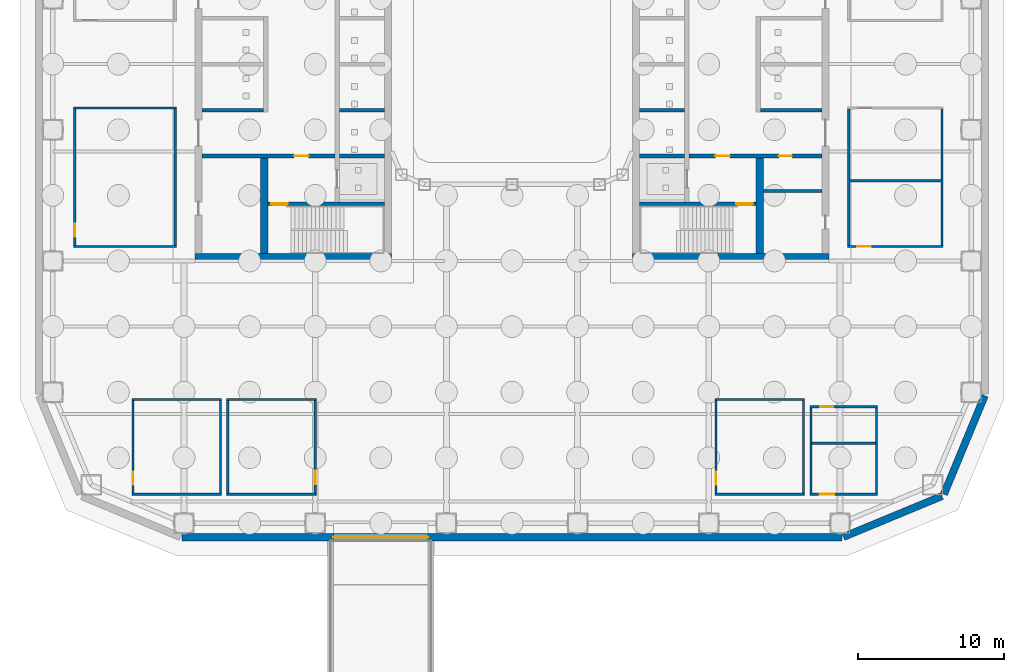
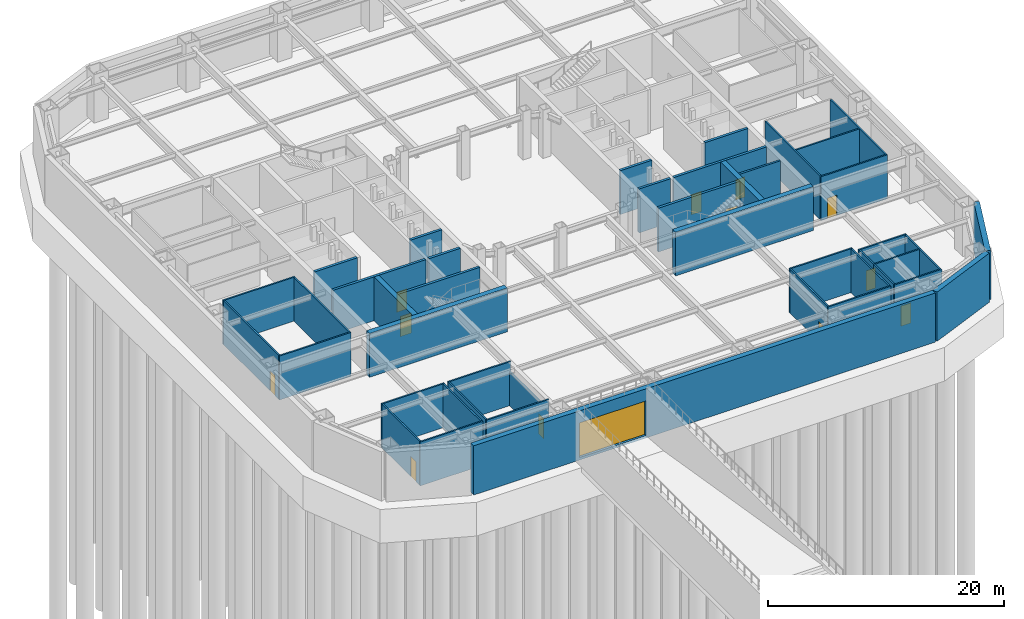
# One storey, part 4 of 10: 45 walls, 13 doors, 13 openings.
"""IFC4 building model written with IfcOpenShell, lengths in metres."""

import ifcopenshell
import ifcopenshell.guid

model = None  # the IFC model being written
_history = None  # IfcOwnerHistory: only IFC2X3 demands one
_inside = {}  # id of a spatial element -> (the spatial element, [elements in it])
_under = {}  # id of a project, library or spatial element -> (it, [spatial elements below it])
_declared = {}  # id of a project -> (the project, [libraries it declares])
_typed = {}  # id of a type object -> (the type object, [elements of that type])
_made_of = {}  # id of a material, layer set ... -> (it, [elements and type objects made of it])


def new_model(schema):
    """Start an empty IFC model of exactly this schema.

    Asked for "IFC4X3", IfcOpenShell would pick the latest addendum, in which some entities
    have other attributes; the version numbers below select the first issue.
    IFC2X3 requires an IfcOwnerHistory on every rooted entity: one is made here for all.
    """
    global model, _history
    if schema == "IFC4X3":
        model = ifcopenshell.file(schema_version=(4, 3, 0, 0))
    else:
        model = ifcopenshell.file(schema=schema)
    _inside.clear()
    _under.clear()
    _declared.clear()
    _typed.clear()
    _made_of.clear()
    _history = None
    if model.schema == "IFC2X3":
        org = make("IfcOrganization", Name="unknown")
        user = make(
            "IfcPersonAndOrganization",
            ThePerson=make("IfcPerson", FamilyName="unknown"),
            TheOrganization=org,
        )
        app = make(
            "IfcApplication",
            ApplicationDeveloper=org,
            Version="unknown",
            ApplicationFullName="unknown",
            ApplicationIdentifier="unknown",
        )
        _history = make(
            "IfcOwnerHistory",
            OwningUser=user,
            OwningApplication=app,
            ChangeAction="ADDED",
            CreationDate=0,
        )
    return model


def make(cls, **values):
    """One entity of the class cls with the attributes given. An attribute that is None is left unset."""
    return model.create_entity(
        cls, **{name: value for name, value in values.items() if value is not None}
    )


def rooted(cls, **values):
    """An entity with a GlobalId (a new one), such as an element, a storey or a relation."""
    return make(cls, GlobalId=ifcopenshell.guid.new(), OwnerHistory=_history, **values)


def si_unit(unit_type, name, prefix=None):
    """IfcSIUnit, for example si_unit("LENGTHUNIT", "METRE", prefix="MILLI")."""
    return make("IfcSIUnit", UnitType=unit_type, Prefix=prefix, Name=name)


def assignment(units):
    """IfcUnitAssignment: the units of a project."""
    return None if units is None else make("IfcUnitAssignment", Units=units)


def point(xyz):
    """IfcCartesianPoint."""
    return None if xyz is None else make("IfcCartesianPoint", Coordinates=xyz)


def direction(xyz):
    """IfcDirection."""
    return None if xyz is None else make("IfcDirection", DirectionRatios=xyz)


def frame(location, z_axis=None, x_axis=None):
    """IfcAxis2Placement3D, a coordinate frame: its origin and axes. An axis left out is left unset."""
    return make(
        "IfcAxis2Placement3D",
        Location=point(location),
        Axis=direction(z_axis),
        RefDirection=direction(x_axis),
    )


def frame_2d(location, x_axis=None):
    """IfcAxis2Placement2D, a coordinate frame in the plane: its origin and x axis."""
    return make(
        "IfcAxis2Placement2D", Location=point(location), RefDirection=direction(x_axis)
    )


def origin():
    """The frame at (0, 0, 0) with its axes left unset."""
    return frame((0.0, 0.0, 0.0))


def place(relative_to, where):
    """IfcLocalPlacement: puts the frame where relative to a parent placement (None: the world)."""
    return make(
        "IfcLocalPlacement", PlacementRelTo=relative_to, RelativePlacement=where
    )


def context(
    kind, dimensions, precision=None, world=None, true_north=None, identifier=None
):
    """IfcGeometricRepresentationContext, for example the 3D "Model" context."""
    return make(
        "IfcGeometricRepresentationContext",
        ContextIdentifier=identifier,
        ContextType=kind,
        CoordinateSpaceDimension=dimensions,
        Precision=precision,
        WorldCoordinateSystem=world,
        TrueNorth=true_north,
    )


def subcontext(parent, identifier, kind, view, scale=None):
    """IfcGeometricRepresentationSubContext, for example "Body" below "Model"."""
    return make(
        "IfcGeometricRepresentationSubContext",
        ContextIdentifier=identifier,
        ContextType=kind,
        ParentContext=parent,
        TargetScale=scale,
        TargetView=view,
    )


def project(units=None, contexts=None):
    """IfcProject with its units and contexts."""
    return rooted(
        "IfcProject",
        Name="project",
        RepresentationContexts=contexts,
        UnitsInContext=assignment(units),
    )


def spatial(cls, under=None, at=None, **own):
    """A site, building, storey or space (cls), placed at a placement, below another one or the project."""
    s = rooted(cls, ObjectPlacement=at, **own)
    if under is not None:
        _under.setdefault(under.id(), (under, []))[1].append(s)
    return s


def profile(cls, at=None, kind="AREA", **sizes):
    """A parametric profile (cls). Its sizes go by their IFC names, for example OverallWidth=200.0."""
    return make(cls, ProfileType=kind, Position=at, **sizes)


def rectangle(**sizes):
    """IfcRectangleProfileDef."""
    return profile("IfcRectangleProfileDef", **sizes)


def extrude(swept, where, along, depth):
    """IfcExtrudedAreaSolid: the profile swept, set in the frame where, extruded along a direction by depth."""
    return make(
        "IfcExtrudedAreaSolid",
        SweptArea=swept,
        Position=where,
        ExtrudedDirection=direction(along),
        Depth=depth,
    )


def shape(context_of_items, identifier, shape_type, items):
    """IfcShapeRepresentation: the items that make up one representation, for example the "Body"."""
    return make(
        "IfcShapeRepresentation",
        ContextOfItems=context_of_items,
        RepresentationIdentifier=identifier,
        RepresentationType=shape_type,
        Items=items,
    )


def material(Name=None, Category=None):
    """IfcMaterial."""
    return make("IfcMaterial", Name=Name, Category=Category)


def layer(
    of_material, thickness, ventilated=None, Name=None, Category=None, Priority=None
):
    """IfcMaterialLayer: one layer of a wall or slab, of a material (None: an air gap)."""
    return make(
        "IfcMaterialLayer",
        Material=of_material,
        LayerThickness=thickness,
        IsVentilated=ventilated,
        Name=Name,
        Category=Category,
        Priority=Priority,
    )


def layer_set(layers, Name=None):
    """IfcMaterialLayerSet."""
    return make("IfcMaterialLayerSet", MaterialLayers=layers, LayerSetName=Name)


def made_of(thing, what):
    """Note that an element or type object is made of a material, layer set ...; save() writes the relation."""
    if what is not None:
        _made_of.setdefault(what.id(), (what, []))[1].append(thing)
    return thing


def type_object(cls, material=None, **own):
    """A type object (cls), such as IfcWallType, which elements share."""
    return made_of(rooted(cls, **own), material)


def element(
    cls,
    number,
    at=None,
    inside=None,
    cuts=None,
    type_object=None,
    material=None,
    context=None,
    identifier="Body",
    shape_type=None,
    held_by="IfcProductDefinitionShape",
    body=None,
    shapes=None,
    **own,
):
    """One element of the class cls, such as IfcWall. Its Tag is "e" and its number.

    at: its placement. inside: the storey or other place that contains it. cuts: it is an
    opening in that element (IfcRelVoidsElement). A single representation is given by context,
    identifier, shape_type and body (its items); several are given by shapes. held_by: the class
    of the entity that holds the representations. save() writes the other relations.
    """
    e = rooted(cls, Tag="e%d" % number, ObjectPlacement=at, **own)
    if body is not None:
        shapes = [shape(context, identifier, shape_type, body)]
    if shapes is not None:
        e.Representation = make(held_by, Representations=shapes)
    if inside is not None:
        _inside.setdefault(inside.id(), (inside, []))[1].append(e)
    if cuts is not None:
        rooted(
            "IfcRelVoidsElement", RelatingBuildingElement=cuts, RelatedOpeningElement=e
        )
    if type_object is not None:
        _typed.setdefault(type_object.id(), (type_object, []))[1].append(e)
    return made_of(e, material)


def fill(opening, filler):
    """IfcRelFillsElement: the door or window that sits in an opening."""
    return rooted(
        "IfcRelFillsElement",
        RelatingOpeningElement=opening,
        RelatedBuildingElement=filler,
    )


def aggregate(whole, parts):
    """IfcRelAggregates: a whole, such as a stair, and the parts it consists of."""
    return rooted("IfcRelAggregates", RelatingObject=whole, RelatedObjects=parts)


def save(model, path):
    """Write the relations noted so far, then the file.

    IfcRelAggregates (storeys below a building ...), IfcRelContainedInSpatialStructure (elements
    in a storey), IfcRelDefinesByType, IfcRelAssociatesMaterial and IfcRelDeclares: one each for
    every whole, place, type object, material and project.
    """
    for whole, parts in _under.values():
        aggregate(whole, parts)
    for where, things in _inside.values():
        rooted(
            "IfcRelContainedInSpatialStructure",
            RelatedElements=things,
            RelatingStructure=where,
        )
    for kind, things in _typed.values():
        rooted("IfcRelDefinesByType", RelatedObjects=things, RelatingType=kind)
    for what, things in _made_of.values():
        rooted("IfcRelAssociatesMaterial", RelatedObjects=things, RelatingMaterial=what)
    for by, libraries in _declared.values():
        rooted("IfcRelDeclares", RelatingContext=by, RelatedDefinitions=libraries)
    model.write(path)


model = new_model("IFC4")

# Units and contexts
model_context = context("Model", 3, precision=1e-05, world=origin(), true_north=direction((0.0, 1.0)))
body_context = subcontext(model_context, "Body", "Model", "MODEL_VIEW")
ifc_project = project(units=[si_unit("LENGTHUNIT", "METRE"), si_unit("AREAUNIT", "SQUARE_METRE"), si_unit("VOLUMEUNIT", "CUBIC_METRE"), si_unit("PLANEANGLEUNIT", "RADIAN"), si_unit("MASSUNIT", "GRAM", prefix="KILO")], contexts=[model_context])

# Site, building, storey
site_placement = place(None, origin())
site = spatial("IfcSite", under=ifc_project, at=site_placement, CompositionType="ELEMENT")
building_placement = place(site_placement, origin())
building = spatial("IfcBuilding", under=site, at=building_placement, Name="Siwar Civic Tower", CompositionType="ELEMENT")
storey_placement = place(building_placement, frame((0.0, 0.0, -5.0)))
storey = spatial("IfcBuildingStorey", under=building, at=storey_placement, Name="B1", CompositionType="ELEMENT", Elevation=-5.0)

# Walls
ifc_material_1 = material(Name="Gypsum board on steel studs", Category="steel")
ifc_layer_1 = layer(ifc_material_1, 0.14990234375)
ifc_layer_set_1 = layer_set([ifc_layer_1], Name="Gypsum board on steel studs")
wall_type_1 = type_object("IfcWallType", Name="COMPARTMENT PARTITION 150 EI 60", PredefinedType="PARTITIONING", material=ifc_layer_set_1)
for number, where, z_axis, x_axis, name in (
    (1, (-26.074951171875, -29.5, 0.0), (0.0, 0.0, 1.0), (1.0, 0.0, 0.0), "B1/wall/P02"),
    (2, (-19.574951171875, -29.5, 0.0), (0.0, 0.0, 1.0), (1.0, 0.0, 0.0), "B1/wall/P03"),
    (3, (13.925048828125, -29.5, 0.0), (0.0, 0.0, 1.0), (1.0, 0.0, 0.0), "B1/wall/P04"),
):
    element("IfcWall", number, at=place(storey_placement, frame(where, z_axis=z_axis, x_axis=x_axis)), inside=storey, type_object=wall_type_1, Name=name, PredefinedType="PARTITIONING", context=body_context, shape_type="SweptSolid", body=[
        extrude(rectangle(XDim=6.14990234375, YDim=0.14990234375, at=frame_2d((3.074951171875, 0.0))), origin(), (0.0, 0.0, 1.0), 4.550048828125),
    ])
wall_1_placement = place(storey_placement, frame((20.574951171875, -26.0, 0.0), z_axis=(0.0, 0.0, 1.0), x_axis=(1.0, 0.0, 0.0)))
element("IfcWall", 4, at=wall_1_placement, inside=storey, type_object=wall_type_1, Name="B1/wall/P05", PredefinedType="PARTITIONING", context=body_context, shape_type="SweptSolid", body=[
    extrude(rectangle(XDim=4.35009765625, YDim=0.14990234375, at=frame_2d((2.175048828125, 0.0))), origin(), (0.0, 0.0, 1.0), 4.550048828125),
])

# Wall, opening, door
wall_2_placement = place(storey_placement, frame((20.425048828125, -23.5, 0.0), z_axis=(0.0, 0.0, 1.0), x_axis=(1.0, 0.0, 0.0)))
wall_2 = element("IfcWall", 5, at=wall_2_placement, inside=storey, type_object=wall_type_1, Name="B1/wall/P06", PredefinedType="PARTITIONING", context=body_context, shape_type="SweptSolid", body=[
    extrude(rectangle(XDim=4.64990234375, YDim=0.14990234375, at=frame_2d((2.324951171875, 0.0))), origin(), (0.0, 0.0, 1.0), 4.550048828125),
])
opening_1_placement = place(wall_2_placement, frame((0.72509765625, 0.0, 0.0)))
opening_1 = element("IfcOpeningElement", 6, at=opening_1_placement, cuts=wall_2, Name="Opening D4", PredefinedType="OPENING", context=body_context, shape_type="SweptSolid", body=[
    extrude(rectangle(XDim=0.89990234375, YDim=2.10009765625, at=frame_2d((0.449951171875, 1.050048828125))), frame((0.0, 0.0849609375, 0.0), z_axis=(0.0, -1.0, 0.0), x_axis=(1.0, 0.0, 0.0)), (0.0, 0.0, 1.0), 0.169921875),
])
ifc_material_2 = material(Name="Timber, painted", Category="wood")
door_type_1 = type_object("IfcDoorType", Name="DOOR 900 X 2100 FD60", OperationType="SINGLE_SWING_LEFT", PredefinedType="DOOR", material=ifc_material_2)
door_1_placement = place(opening_1_placement, origin())
door_1 = element("IfcDoor", 7, at=door_1_placement, inside=storey, type_object=door_type_1, Name="B1-D11", OperationType="SINGLE_SWING_LEFT", OverallHeight=2.10009765625, OverallWidth=0.89990234375, PredefinedType="DOOR", context=body_context, shape_type="SweptSolid", body=[
    extrude(rectangle(XDim=0.89990234375, YDim=2.10009765625, at=frame_2d((0.449951171875, 1.050048828125))), frame((0.0, 0.02490234375, 0.0), z_axis=(0.0, -1.0, 0.0), x_axis=(1.0, 0.0, 0.0)), (0.0, 0.0, 1.0), 0.050048828125),
])
fill(opening_1, door_1)

# Walls
for number, where, z_axis, x_axis, name in (
    (8, (-26.074951171875, -23.0, 0.0), (0.0, 0.0, 1.0), (1.0, 0.0, 0.0), "B1/wall/P07"),
    (9, (-19.574951171875, -23.0, 0.0), (0.0, 0.0, 1.0), (1.0, 0.0, 0.0), "B1/wall/P08"),
    (10, (13.925048828125, -23.0, 0.0), (0.0, 0.0, 1.0), (1.0, 0.0, 0.0), "B1/wall/P09"),
):
    element("IfcWall", number, at=place(storey_placement, frame(where, z_axis=z_axis, x_axis=x_axis)), inside=storey, type_object=wall_type_1, Name=name, PredefinedType="PARTITIONING", context=body_context, shape_type="SweptSolid", body=[
        extrude(rectangle(XDim=6.14990234375, YDim=0.14990234375, at=frame_2d((3.074951171875, 0.0))), origin(), (0.0, 0.0, 1.0), 4.550048828125),
    ])
wall_3_placement = place(storey_placement, frame((-30.074951171875, -12.5, 0.0), z_axis=(0.0, 0.0, 1.0), x_axis=(1.0, 0.0, 0.0)))
element("IfcWall", 11, at=wall_3_placement, inside=storey, type_object=wall_type_1, Name="B1/wall/P10", PredefinedType="PARTITIONING", context=body_context, shape_type="SweptSolid", body=[
    extrude(rectangle(XDim=7.050048828125, YDim=0.14990234375, at=frame_2d((3.52490234375, 0.0))), origin(), (0.0, 0.0, 1.0), 4.550048828125),
])

# Wall, opening, door
wall_4_placement = place(storey_placement, frame((23.02490234375, -12.5, 0.0), z_axis=(0.0, 0.0, 1.0), x_axis=(1.0, 0.0, 0.0)))
wall_4 = element("IfcWall", 12, at=wall_4_placement, inside=storey, type_object=wall_type_1, Name="B1/wall/P11", PredefinedType="PARTITIONING", context=body_context, shape_type="SweptSolid", body=[
    extrude(rectangle(XDim=6.550048828125, YDim=0.14990234375, at=frame_2d((3.27490234375, 0.0))), origin(), (0.0, 0.0, 1.0), 4.550048828125),
])
opening_2_placement = place(wall_4_placement, frame((0.675048828125, 0.0, 0.0)))
opening_2 = element("IfcOpeningElement", 13, at=opening_2_placement, cuts=wall_4, Name="Opening D4", PredefinedType="OPENING", context=body_context, shape_type="SweptSolid", body=[
    extrude(rectangle(XDim=0.89990234375, YDim=2.10009765625, at=frame_2d((0.449951171875, 1.050048828125))), frame((0.0, 0.0849609375, 0.0), z_axis=(0.0, -1.0, 0.0), x_axis=(1.0, 0.0, 0.0)), (0.0, 0.0, 1.0), 0.169921875),
])
door_2_placement = place(opening_2_placement, origin())
door_2 = element("IfcDoor", 14, at=door_2_placement, inside=storey, type_object=door_type_1, Name="B1-D06", OperationType="SINGLE_SWING_RIGHT", OverallHeight=2.10009765625, OverallWidth=0.89990234375, PredefinedType="DOOR", context=body_context, shape_type="SweptSolid", body=[
    extrude(rectangle(XDim=0.89990234375, YDim=2.10009765625, at=frame_2d((0.449951171875, 1.050048828125))), frame((0.0, 0.02490234375, 0.0), z_axis=(0.0, -1.0, 0.0), x_axis=(1.0, 0.0, 0.0)), (0.0, 0.0, 1.0), 0.050048828125),
])
fill(opening_2, door_2)

# Walls
wall_5_placement = place(storey_placement, frame((23.175048828125, -8.0, 0.0), z_axis=(0.0, 0.0, 1.0), x_axis=(1.0, 0.0, 0.0)))
element("IfcWall", 15, at=wall_5_placement, inside=storey, type_object=wall_type_1, Name="B1/wall/P12", PredefinedType="PARTITIONING", context=body_context, shape_type="SweptSolid", body=[
    extrude(rectangle(XDim=6.25, YDim=0.14990234375, at=frame_2d((3.125, 0.0))), origin(), (0.0, 0.0, 1.0), 4.550048828125),
])
wall_6_placement = place(storey_placement, frame((-30.074951171875, -3.0, 0.0), z_axis=(0.0, 0.0, 1.0), x_axis=(1.0, 0.0, 0.0)))
element("IfcWall", 16, at=wall_6_placement, inside=storey, type_object=wall_type_1, Name="B1/wall/P13", PredefinedType="PARTITIONING", context=body_context, shape_type="SweptSolid", body=[
    extrude(rectangle(XDim=7.050048828125, YDim=0.14990234375, at=frame_2d((3.52490234375, 0.0))), origin(), (0.0, 0.0, 1.0), 4.550048828125),
])

# Wall, opening, door
wall_7_placement = place(storey_placement, frame((-30.0, -12.425048828125, 0.0), z_axis=(0.0, 0.0, 1.0), x_axis=(0.0, 1.0, 0.0)))
wall_7 = element("IfcWall", 17, at=wall_7_placement, inside=storey, type_object=wall_type_1, Name="B1/wall/P20", PredefinedType="PARTITIONING", context=body_context, shape_type="SweptSolid", body=[
    extrude(rectangle(XDim=9.35009765625, YDim=0.14990234375, at=frame_2d((4.675048828125, 0.0))), origin(), (0.0, 0.0, 1.0), 4.550048828125),
])
opening_3_placement = place(wall_7_placement, frame((0.574951171875, 0.0, 0.0)))
opening_3 = element("IfcOpeningElement", 18, at=opening_3_placement, cuts=wall_7, Name="Opening D4", PredefinedType="OPENING", context=body_context, shape_type="SweptSolid", body=[
    extrude(rectangle(XDim=0.89990234375, YDim=2.10009765625, at=frame_2d((0.449951171875, 1.050048828125))), frame((0.0, 0.0849609375, 0.0), z_axis=(0.0, -1.0, 0.0), x_axis=(1.0, 0.0, 0.0)), (0.0, 0.0, 1.0), 0.169921875),
])
door_3_placement = place(opening_3_placement, origin())
door_3 = element("IfcDoor", 19, at=door_3_placement, inside=storey, type_object=door_type_1, Name="B1-D01", OperationType="SINGLE_SWING_LEFT", OverallHeight=2.10009765625, OverallWidth=0.89990234375, PredefinedType="DOOR", context=body_context, shape_type="SweptSolid", body=[
    extrude(rectangle(XDim=0.89990234375, YDim=2.10009765625, at=frame_2d((0.449951171875, 1.050048828125))), frame((0.0, 0.02490234375, 0.0), z_axis=(0.0, -1.0, 0.0), x_axis=(1.0, 0.0, 0.0)), (0.0, 0.0, 1.0), 0.050048828125),
])
fill(opening_3, door_3)

wall_8_placement = place(storey_placement, frame((-26.0, -29.425048828125, 0.0), z_axis=(0.0, 0.0, 1.0), x_axis=(0.0, 1.0, 0.0)))
wall_8 = element("IfcWall", 20, at=wall_8_placement, inside=storey, type_object=wall_type_1, Name="B1/wall/P22", PredefinedType="PARTITIONING", context=body_context, shape_type="SweptSolid", body=[
    extrude(rectangle(XDim=6.35009765625, YDim=0.14990234375, at=frame_2d((3.175048828125, 0.0))), origin(), (0.0, 0.0, 1.0), 4.550048828125),
])
opening_4_placement = place(wall_8_placement, frame((0.574951171875, 0.0, 0.0)))
opening_4 = element("IfcOpeningElement", 21, at=opening_4_placement, cuts=wall_8, Name="Opening D4", PredefinedType="OPENING", context=body_context, shape_type="SweptSolid", body=[
    extrude(rectangle(XDim=0.89990234375, YDim=2.10009765625, at=frame_2d((0.449951171875, 1.050048828125))), frame((0.0, 0.0849609375, 0.0), z_axis=(0.0, -1.0, 0.0), x_axis=(1.0, 0.0, 0.0)), (0.0, 0.0, 1.0), 0.169921875),
])
door_4_placement = place(opening_4_placement, origin())
door_4 = element("IfcDoor", 22, at=door_4_placement, inside=storey, type_object=door_type_1, Name="B1-D07", OperationType="SINGLE_SWING_LEFT", OverallHeight=2.10009765625, OverallWidth=0.89990234375, PredefinedType="DOOR", context=body_context, shape_type="SweptSolid", body=[
    extrude(rectangle(XDim=0.89990234375, YDim=2.10009765625, at=frame_2d((0.449951171875, 1.050048828125))), frame((0.0, 0.02490234375, 0.0), z_axis=(0.0, -1.0, 0.0), x_axis=(1.0, 0.0, 0.0)), (0.0, 0.0, 1.0), 0.050048828125),
])
fill(opening_4, door_4)

# Walls
wall_9_placement = place(storey_placement, frame((-23.10009765625, -12.425048828125, 0.0), z_axis=(0.0, 0.0, 1.0), x_axis=(0.0, 1.0, 0.0)))
element("IfcWall", 23, at=wall_9_placement, inside=storey, type_object=wall_type_1, Name="B1/wall/P23", PredefinedType="PARTITIONING", context=body_context, shape_type="SweptSolid", body=[
    extrude(rectangle(XDim=9.35009765625, YDim=0.14990234375, at=frame_2d((4.675048828125, 0.0))), origin(), (0.0, 0.0, 1.0), 4.550048828125),
])
for number, where, z_axis, x_axis, name in (
    (24, (-20.0, -29.425048828125, 0.0), (0.0, 0.0, 1.0), (0.0, 1.0, 0.0), "B1/wall/P25"),
    (25, (-19.5, -29.425048828125, 0.0), (0.0, 0.0, 1.0), (0.0, 1.0, 0.0), "B1/wall/P26"),
):
    element("IfcWall", number, at=place(storey_placement, frame(where, z_axis=z_axis, x_axis=x_axis)), inside=storey, type_object=wall_type_1, Name=name, PredefinedType="PARTITIONING", context=body_context, shape_type="SweptSolid", body=[
        extrude(rectangle(XDim=6.35009765625, YDim=0.14990234375, at=frame_2d((3.175048828125, 0.0))), origin(), (0.0, 0.0, 1.0), 4.550048828125),
    ])

# Wall, opening, door
wall_10_placement = place(storey_placement, frame((-13.5, -29.425048828125, 0.0), z_axis=(0.0, 0.0, 1.0), x_axis=(0.0, 1.0, 0.0)))
wall_10 = element("IfcWall", 26, at=wall_10_placement, inside=storey, type_object=wall_type_1, Name="B1/wall/P27", PredefinedType="PARTITIONING", context=body_context, shape_type="SweptSolid", body=[
    extrude(rectangle(XDim=6.35009765625, YDim=0.14990234375, at=frame_2d((3.175048828125, 0.0))), origin(), (0.0, 0.0, 1.0), 3.550048828125),
])
opening_5_placement = place(wall_10_placement, frame((0.625, 0.0, 0.0)))
opening_5 = element("IfcOpeningElement", 27, at=opening_5_placement, cuts=wall_10, Name="Opening D4", PredefinedType="OPENING", context=body_context, shape_type="SweptSolid", body=[
    extrude(rectangle(XDim=0.89990234375, YDim=2.10009765625, at=frame_2d((0.449951171875, 1.050048828125))), frame((0.0, 0.0849609375, 0.0), z_axis=(0.0, -1.0, 0.0), x_axis=(1.0, 0.0, 0.0)), (0.0, 0.0, 1.0), 0.169921875),
])
door_5_placement = place(opening_5_placement, origin())
door_5 = element("IfcDoor", 28, at=door_5_placement, inside=storey, type_object=door_type_1, Name="B1-D08", OperationType="SINGLE_SWING_RIGHT", OverallHeight=2.10009765625, OverallWidth=0.89990234375, PredefinedType="DOOR", context=body_context, shape_type="SweptSolid", body=[
    extrude(rectangle(XDim=0.89990234375, YDim=2.10009765625, at=frame_2d((0.449951171875, 1.050048828125))), frame((0.0, 0.02490234375, 0.0), z_axis=(0.0, -1.0, 0.0), x_axis=(1.0, 0.0, 0.0)), (0.0, 0.0, 1.0), 0.050048828125),
])
fill(opening_5, door_5)

wall_11_placement = place(storey_placement, frame((14.0, -29.425048828125, 0.0), z_axis=(0.0, 0.0, 1.0), x_axis=(0.0, 1.0, 0.0)))
wall_11 = element("IfcWall", 29, at=wall_11_placement, inside=storey, type_object=wall_type_1, Name="B1/wall/P28", PredefinedType="PARTITIONING", context=body_context, shape_type="SweptSolid", body=[
    extrude(rectangle(XDim=6.35009765625, YDim=0.14990234375, at=frame_2d((3.175048828125, 0.0))), origin(), (0.0, 0.0, 1.0), 4.550048828125),
])
opening_6_placement = place(wall_11_placement, frame((0.574951171875, 0.0, 0.0)))
opening_6 = element("IfcOpeningElement", 30, at=opening_6_placement, cuts=wall_11, Name="Opening D4", PredefinedType="OPENING", context=body_context, shape_type="SweptSolid", body=[
    extrude(rectangle(XDim=0.89990234375, YDim=2.10009765625, at=frame_2d((0.449951171875, 1.050048828125))), frame((0.0, 0.0849609375, 0.0), z_axis=(0.0, -1.0, 0.0), x_axis=(1.0, 0.0, 0.0)), (0.0, 0.0, 1.0), 0.169921875),
])
door_6_placement = place(opening_6_placement, origin())
door_6 = element("IfcDoor", 31, at=door_6_placement, inside=storey, type_object=door_type_1, Name="B1-D09", OperationType="SINGLE_SWING_LEFT", OverallHeight=2.10009765625, OverallWidth=0.89990234375, PredefinedType="DOOR", context=body_context, shape_type="SweptSolid", body=[
    extrude(rectangle(XDim=0.89990234375, YDim=2.10009765625, at=frame_2d((0.449951171875, 1.050048828125))), frame((0.0, 0.02490234375, 0.0), z_axis=(0.0, -1.0, 0.0), x_axis=(1.0, 0.0, 0.0)), (0.0, 0.0, 1.0), 0.050048828125),
])
fill(opening_6, door_6)

# Walls
wall_12_placement = place(storey_placement, frame((20.0, -29.425048828125, 0.0), z_axis=(0.0, 0.0, 1.0), x_axis=(0.0, 1.0, 0.0)))
element("IfcWall", 32, at=wall_12_placement, inside=storey, type_object=wall_type_1, Name="B1/wall/P29", PredefinedType="PARTITIONING", context=body_context, shape_type="SweptSolid", body=[
    extrude(rectangle(XDim=6.35009765625, YDim=0.14990234375, at=frame_2d((3.175048828125, 0.0))), origin(), (0.0, 0.0, 1.0), 4.550048828125),
])
wall_13_placement = place(storey_placement, frame((20.5, -26.0, 0.0), z_axis=(0.0, 0.0, 1.0), x_axis=(0.0, 1.0, 0.0)))
element("IfcWall", 33, at=wall_13_placement, inside=storey, type_object=wall_type_1, Name="B1/wall/P31", PredefinedType="PARTITIONING", context=body_context, shape_type="SweptSolid", body=[
    extrude(rectangle(XDim=2.425048828125, YDim=0.14990234375, at=frame_2d((1.21240234375, 0.0))), origin(), (0.0, 0.0, 1.0), 4.550048828125),
])
wall_14_placement = place(storey_placement, frame((23.10009765625, -12.425048828125, 0.0), z_axis=(0.0, 0.0, 1.0), x_axis=(0.0, 1.0, 0.0)))
element("IfcWall", 34, at=wall_14_placement, inside=storey, type_object=wall_type_1, Name="B1/wall/P32", PredefinedType="PARTITIONING", context=body_context, shape_type="SweptSolid", body=[
    extrude(rectangle(XDim=9.35009765625, YDim=0.14990234375, at=frame_2d((4.675048828125, 0.0))), origin(), (0.0, 0.0, 1.0), 4.550048828125),
])
wall_15_placement = place(storey_placement, frame((25.0, -26.0, 0.0), z_axis=(0.0, 0.0, 1.0), x_axis=(0.0, 1.0, 0.0)))
element("IfcWall", 35, at=wall_15_placement, inside=storey, type_object=wall_type_1, Name="B1/wall/P35", PredefinedType="PARTITIONING", context=body_context, shape_type="SweptSolid", body=[
    extrude(rectangle(XDim=2.425048828125, YDim=0.14990234375, at=frame_2d((1.21240234375, 0.0))), origin(), (0.0, 0.0, 1.0), 4.550048828125),
])
wall_16_placement = place(storey_placement, frame((29.5, -12.425048828125, 0.0), z_axis=(0.0, 0.0, 1.0), x_axis=(0.0, 1.0, 0.0)))
element("IfcWall", 36, at=wall_16_placement, inside=storey, type_object=wall_type_1, Name="B1/wall/P36", PredefinedType="PARTITIONING", context=body_context, shape_type="SweptSolid", body=[
    extrude(rectangle(XDim=9.35009765625, YDim=0.14990234375, at=frame_2d((4.675048828125, 0.0))), origin(), (0.0, 0.0, 1.0), 4.550048828125),
])
ifc_material_3 = material(Name="Gypsum board on steel studs", Category="steel")
ifc_layer_2 = layer(ifc_material_3, 0.199951171875)
ifc_layer_set_2 = layer_set([ifc_layer_2], Name="Gypsum board on steel studs")
wall_type_2 = type_object("IfcWallType", Name="CORE-PARTITION-200", PredefinedType="PARTITIONING", material=ifc_layer_set_2)
wall_17_placement = place(storey_placement, frame((17.25, -8.699951171875, 0.0), z_axis=(0.0, 0.0, 1.0), x_axis=(1.0, 0.0, 0.0)))
element("IfcWall", 37, at=wall_17_placement, inside=storey, type_object=wall_type_2, Name="Core partition E", PredefinedType="PARTITIONING", context=body_context, shape_type="SweptSolid", body=[
    extrude(rectangle(XDim=4.0, YDim=0.199951171875, at=frame_2d((2.0, 0.0))), origin(), (0.0, 0.0, 1.0), 4.550048828125),
])

# Wall, opening, door
ifc_material_4 = material(Name="Concrete C60/75", Category="concrete")
ifc_layer_3 = layer(ifc_material_4, 0.25)
ifc_layer_set_3 = layer_set([ifc_layer_3], Name="Concrete C60/75")
wall_type_3 = type_object("IfcWallType", Name="CORE-WALL-RC250", PredefinedType="SHEAR", material=ifc_layer_set_3)
wall_18_placement = place(storey_placement, frame((-12.14990234375, -6.300048828125, 0.0), z_axis=(0.0, 0.0, 1.0), x_axis=(-1.0, 0.0, 0.0)))
wall_18 = element("IfcWall", 38, at=wall_18_placement, inside=storey, type_object=wall_type_3, Name="Core wall W", PredefinedType="SHEAR", context=body_context, shape_type="SweptSolid", body=[
    extrude(rectangle(XDim=9.10009765625, YDim=0.25, at=frame_2d((4.550048828125, 0.0))), origin(), (0.0, 0.0, 1.0), 4.550048828125),
])
opening_7_placement = place(wall_18_placement, frame((1.800048828125, 0.0, 0.0)))
opening_7 = element("IfcOpeningElement", 39, at=opening_7_placement, cuts=wall_18, Name="Opening B1-CW02", PredefinedType="OPENING", context=body_context, shape_type="SweptSolid", body=[
    extrude(rectangle(XDim=1.0, YDim=2.10009765625, at=frame_2d((0.5, 1.050048828125))), frame((0.0, 0.135009765625, 0.0), z_axis=(0.0, -1.0, 0.0), x_axis=(1.0, 0.0, 0.0)), (0.0, 0.0, 1.0), 0.27001953125),
])
ifc_material_5 = material(Name="Steel door leaf", Category="steel")
door_type_2 = type_object("IfcDoorType", Name="CORE-DOOR-FD30S", OperationType="SINGLE_SWING_LEFT", PredefinedType="DOOR", material=ifc_material_5)
door_7_placement = place(opening_7_placement, origin())
door_7 = element("IfcDoor", 40, at=door_7_placement, inside=storey, type_object=door_type_2, Name="Service lobby door B1-CW02", OperationType="SINGLE_SWING_RIGHT", OverallHeight=2.10009765625, OverallWidth=1.0, PredefinedType="DOOR", context=body_context, shape_type="SweptSolid", body=[
    extrude(rectangle(XDim=1.0, YDim=2.10009765625, at=frame_2d((0.5, 1.050048828125))), frame((0.0, 0.02490234375, 0.0), z_axis=(0.0, -1.0, 0.0), x_axis=(1.0, 0.0, 0.0)), (0.0, 0.0, 1.0), 0.050048828125),
])
fill(opening_7, door_7)

# Walls
wall_19_placement = place(storey_placement, frame((-17.050048828125, -3.14990234375, 0.0), z_axis=(0.0, 0.0, 1.0), x_axis=(-1.0, 0.0, 0.0)))
element("IfcWall", 41, at=wall_19_placement, inside=storey, type_object=wall_type_3, Name="Core wall W", PredefinedType="SHEAR", context=body_context, shape_type="SweptSolid", body=[
    extrude(rectangle(XDim=4.199951171875, YDim=0.25, at=frame_2d((2.10009765625, 0.0))), origin(), (0.0, 0.0, 1.0), 4.550048828125),
])
for number, where, z_axis, x_axis, name in (
    (42, (-8.75, -3.14990234375, 0.0), (0.0, 0.0, 1.0), (-1.0, 0.0, 0.0), "Core wall W"),
    (43, (-8.75, -6.300048828125, 0.0), (0.0, 0.0, 1.0), (-1.0, 0.0, 0.0), "Core wall W"),
):
    element("IfcWall", number, at=place(storey_placement, frame(where, z_axis=z_axis, x_axis=x_axis)), inside=storey, type_object=wall_type_3, Name=name, PredefinedType="SHEAR", context=body_context, shape_type="SweptSolid", body=[
        extrude(rectangle(XDim=3.10009765625, YDim=0.25, at=frame_2d((1.550048828125, 0.0))), origin(), (0.0, 0.0, 1.0), 4.550048828125),
    ])

# Wall, opening, door
wall_20_placement = place(storey_placement, frame((-8.75, -9.574951171875, 0.0), z_axis=(0.0, 0.0, 1.0), x_axis=(-1.0, 0.0, 0.0)))
wall_20 = element("IfcWall", 44, at=wall_20_placement, inside=storey, type_object=wall_type_3, Name="Core wall W", PredefinedType="SHEAR", context=body_context, shape_type="SweptSolid", body=[
    extrude(rectangle(XDim=8.0, YDim=0.25, at=frame_2d((4.0, 0.0))), origin(), (0.0, 0.0, 1.0), 4.550048828125),
])
opening_8_placement = place(wall_20_placement, frame((6.64990234375, 0.0, 0.0)))
opening_8 = element("IfcOpeningElement", 45, at=opening_8_placement, cuts=wall_20, Name="Opening B1-CW04", PredefinedType="OPENING", context=body_context, shape_type="SweptSolid", body=[
    extrude(rectangle(XDim=1.10009765625, YDim=2.10009765625, at=frame_2d((0.550048828125, 1.050048828125))), frame((0.0, 0.135009765625, 0.0), z_axis=(0.0, -1.0, 0.0), x_axis=(1.0, 0.0, 0.0)), (0.0, 0.0, 1.0), 0.27001953125),
])
ifc_material_6 = material(Name="Steel door leaf", Category="steel")
door_type_3 = type_object("IfcDoorType", Name="CORE-DOOR-FD60S", OperationType="SINGLE_SWING_LEFT", PredefinedType="DOOR", material=ifc_material_6)
door_8_placement = place(opening_8_placement, origin())
door_8 = element("IfcDoor", 46, at=door_8_placement, inside=storey, type_object=door_type_3, Name="Stair door B1-CW04", OperationType="SINGLE_SWING_LEFT", OverallHeight=2.10009765625, OverallWidth=1.10009765625, PredefinedType="DOOR", context=body_context, shape_type="SweptSolid", body=[
    extrude(rectangle(XDim=1.10009765625, YDim=2.10009765625, at=frame_2d((0.550048828125, 1.050048828125))), frame((0.0, 0.02490234375, 0.0), z_axis=(0.0, -1.0, 0.0), x_axis=(1.0, 0.0, 0.0)), (0.0, 0.0, 1.0), 0.050048828125),
])
fill(opening_8, door_8)

# Wall, openings, doors
wall_21_placement = place(storey_placement, frame((12.14990234375, -6.300048828125, 0.0), z_axis=(0.0, 0.0, 1.0), x_axis=(1.0, 0.0, 0.0)))
wall_21 = element("IfcWall", 47, at=wall_21_placement, inside=storey, type_object=wall_type_3, Name="Core wall E", PredefinedType="SHEAR", context=body_context, shape_type="SweptSolid", body=[
    extrude(rectangle(XDim=9.10009765625, YDim=0.25, at=frame_2d((4.550048828125, 0.0))), origin(), (0.0, 0.0, 1.0), 4.550048828125),
])
opening_9_placement = place(wall_21_placement, frame((1.800048828125, 0.0, 0.0)))
opening_9 = element("IfcOpeningElement", 48, at=opening_9_placement, cuts=wall_21, Name="Opening B1-CE02", PredefinedType="OPENING", context=body_context, shape_type="SweptSolid", body=[
    extrude(rectangle(XDim=1.0, YDim=2.10009765625, at=frame_2d((0.5, 1.050048828125))), frame((0.0, 0.135009765625, 0.0), z_axis=(0.0, -1.0, 0.0), x_axis=(1.0, 0.0, 0.0)), (0.0, 0.0, 1.0), 0.27001953125),
])
opening_10_placement = place(wall_21_placement, frame((6.14990234375, 0.0, 0.0)))
opening_10 = element("IfcOpeningElement", 49, at=opening_10_placement, cuts=wall_21, Name="Opening B1-CE10", PredefinedType="OPENING", context=body_context, shape_type="SweptSolid", body=[
    extrude(rectangle(XDim=0.89990234375, YDim=2.10009765625, at=frame_2d((0.449951171875, 1.050048828125))), frame((0.0, 0.135009765625, 0.0), z_axis=(0.0, -1.0, 0.0), x_axis=(1.0, 0.0, 0.0)), (0.0, 0.0, 1.0), 0.27001953125),
])
door_9_placement = place(opening_9_placement, origin())
door_9 = element("IfcDoor", 50, at=door_9_placement, inside=storey, type_object=door_type_2, Name="Service lobby door B1-CE02", OperationType="SINGLE_SWING_LEFT", OverallHeight=2.10009765625, OverallWidth=1.0, PredefinedType="DOOR", context=body_context, shape_type="SweptSolid", body=[
    extrude(rectangle(XDim=1.0, YDim=2.10009765625, at=frame_2d((0.5, 1.050048828125))), frame((0.0, 0.02490234375, 0.0), z_axis=(0.0, -1.0, 0.0), x_axis=(1.0, 0.0, 0.0)), (0.0, 0.0, 1.0), 0.050048828125),
])
fill(opening_9, door_9)
ifc_material_7 = material(Name="Steel door leaf", Category="steel")
door_type_4 = type_object("IfcDoorType", Name="CORE-DOOR-ROOM", OperationType="SINGLE_SWING_LEFT", PredefinedType="DOOR", material=ifc_material_7)
door_10_placement = place(opening_10_placement, origin())
door_10 = element("IfcDoor", 51, at=door_10_placement, inside=storey, type_object=door_type_4, Name="Core room door B1-CE10", OperationType="SINGLE_SWING_LEFT", OverallHeight=2.10009765625, OverallWidth=0.89990234375, PredefinedType="DOOR", context=body_context, shape_type="SweptSolid", body=[
    extrude(rectangle(XDim=0.89990234375, YDim=2.10009765625, at=frame_2d((0.449951171875, 1.050048828125))), frame((0.0, 0.02490234375, 0.0), z_axis=(0.0, -1.0, 0.0), x_axis=(1.0, 0.0, 0.0)), (0.0, 0.0, 1.0), 0.050048828125),
])
fill(opening_10, door_10)

# Walls
wall_22_placement = place(storey_placement, frame((17.050048828125, -3.14990234375, 0.0), z_axis=(0.0, 0.0, 1.0), x_axis=(1.0, 0.0, 0.0)))
element("IfcWall", 52, at=wall_22_placement, inside=storey, type_object=wall_type_3, Name="Core wall E", PredefinedType="SHEAR", context=body_context, shape_type="SweptSolid", body=[
    extrude(rectangle(XDim=4.199951171875, YDim=0.25, at=frame_2d((2.10009765625, 0.0))), origin(), (0.0, 0.0, 1.0), 4.550048828125),
])
for number, where, z_axis, x_axis, name in (
    (53, (8.75, -3.14990234375, 0.0), (0.0, 0.0, 1.0), (1.0, 0.0, 0.0), "Core wall E"),
    (54, (8.75, -6.300048828125, 0.0), (0.0, 0.0, 1.0), (1.0, 0.0, 0.0), "Core wall E"),
):
    element("IfcWall", number, at=place(storey_placement, frame(where, z_axis=z_axis, x_axis=x_axis)), inside=storey, type_object=wall_type_3, Name=name, PredefinedType="SHEAR", context=body_context, shape_type="SweptSolid", body=[
        extrude(rectangle(XDim=3.10009765625, YDim=0.25, at=frame_2d((1.550048828125, 0.0))), origin(), (0.0, 0.0, 1.0), 4.550048828125),
    ])

# Wall, opening, door
wall_23_placement = place(storey_placement, frame((8.75, -9.574951171875, 0.0), z_axis=(0.0, 0.0, 1.0), x_axis=(1.0, 0.0, 0.0)))
wall_23 = element("IfcWall", 55, at=wall_23_placement, inside=storey, type_object=wall_type_3, Name="Core wall E", PredefinedType="SHEAR", context=body_context, shape_type="SweptSolid", body=[
    extrude(rectangle(XDim=8.0, YDim=0.25, at=frame_2d((4.0, 0.0))), origin(), (0.0, 0.0, 1.0), 4.550048828125),
])
opening_11_placement = place(wall_23_placement, frame((6.64990234375, 0.0, 0.0)))
opening_11 = element("IfcOpeningElement", 56, at=opening_11_placement, cuts=wall_23, Name="Opening B1-CE04", PredefinedType="OPENING", context=body_context, shape_type="SweptSolid", body=[
    extrude(rectangle(XDim=1.10009765625, YDim=2.10009765625, at=frame_2d((0.550048828125, 1.050048828125))), frame((0.0, 0.135009765625, 0.0), z_axis=(0.0, -1.0, 0.0), x_axis=(1.0, 0.0, 0.0)), (0.0, 0.0, 1.0), 0.27001953125),
])
door_11_placement = place(opening_11_placement, origin())
door_11 = element("IfcDoor", 57, at=door_11_placement, inside=storey, type_object=door_type_3, Name="Stair door B1-CE04", OperationType="SINGLE_SWING_RIGHT", OverallHeight=2.10009765625, OverallWidth=1.10009765625, PredefinedType="DOOR", context=body_context, shape_type="SweptSolid", body=[
    extrude(rectangle(XDim=1.10009765625, YDim=2.10009765625, at=frame_2d((0.550048828125, 1.050048828125))), frame((0.0, 0.02490234375, 0.0), z_axis=(0.0, -1.0, 0.0), x_axis=(1.0, 0.0, 0.0)), (0.0, 0.0, 1.0), 0.050048828125),
])
fill(opening_11, door_11)

# Walls
ifc_material_8 = material(Name="Concrete C60/75", Category="concrete")
ifc_layer_4 = layer(ifc_material_8, 0.5)
ifc_layer_set_4 = layer_set([ifc_layer_4], Name="Concrete C60/75")
wall_type_4 = type_object("IfcWallType", Name="CORE-WALL-RC500", PredefinedType="SHEAR", material=ifc_layer_set_4)
wall_24_placement = place(storey_placement, frame((-17.0, -13.0, 0.0), z_axis=(0.0, 0.0, 1.0), x_axis=(0.0, 1.0, 0.0)))
element("IfcWall", 58, at=wall_24_placement, inside=storey, type_object=wall_type_4, Name="Core wall W", PredefinedType="SHEAR", context=body_context, shape_type="SweptSolid", body=[
    extrude(rectangle(XDim=6.574951171875, YDim=0.5, at=frame_2d((3.28759765625, 0.0))), origin(), (0.0, 0.0, 1.0), 4.550048828125),
])
wall_25_placement = place(storey_placement, frame((-8.25, -13.25, 0.0), z_axis=(0.0, 0.0, 1.0), x_axis=(-1.0, 0.0, 0.0)))
element("IfcWall", 59, at=wall_25_placement, inside=storey, type_object=wall_type_4, Name="Core wall W", PredefinedType="SHEAR", context=body_context, shape_type="SweptSolid", body=[
    extrude(rectangle(XDim=13.5, YDim=0.5, at=frame_2d((6.75, 0.0))), origin(), (0.0, 0.0, 1.0), 4.550048828125),
])
wall_26_placement = place(storey_placement, frame((17.0, -13.0, 0.0), z_axis=(0.0, 0.0, 1.0), x_axis=(0.0, 1.0, 0.0)))
element("IfcWall", 60, at=wall_26_placement, inside=storey, type_object=wall_type_4, Name="Core wall E", PredefinedType="SHEAR", context=body_context, shape_type="SweptSolid", body=[
    extrude(rectangle(XDim=6.574951171875, YDim=0.5, at=frame_2d((3.28759765625, 0.0))), origin(), (0.0, 0.0, 1.0), 4.550048828125),
])
wall_27_placement = place(storey_placement, frame((8.25, -13.25, 0.0), z_axis=(0.0, 0.0, 1.0), x_axis=(1.0, 0.0, 0.0)))
element("IfcWall", 61, at=wall_27_placement, inside=storey, type_object=wall_type_4, Name="Core wall E", PredefinedType="SHEAR", context=body_context, shape_type="SweptSolid", body=[
    extrude(rectangle(XDim=13.5, YDim=0.5, at=frame_2d((6.75, 0.0))), origin(), (0.0, 0.0, 1.0), 4.550048828125),
])

# Wall, opening, door
ifc_material_9 = material(Name="Gypsum board on steel studs", Category="steel")
ifc_layer_5 = layer(ifc_material_9, 0.14990234375)
ifc_layer_set_5 = layer_set([ifc_layer_5], Name="Gypsum board on steel studs")
wall_type_5 = type_object("IfcWallType", Name="CORRIDOR PARTITION 150 EI 30", PredefinedType="PARTITIONING", material=ifc_layer_set_5)
wall_28_placement = place(storey_placement, frame((20.425048828125, -29.5, 0.0), z_axis=(0.0, 0.0, 1.0), x_axis=(1.0, 0.0, 0.0)))
wall_28 = element("IfcWall", 62, at=wall_28_placement, inside=storey, type_object=wall_type_5, Name="B1/wall/P01", PredefinedType="PARTITIONING", context=body_context, shape_type="SweptSolid", body=[
    extrude(rectangle(XDim=4.64990234375, YDim=0.14990234375, at=frame_2d((2.324951171875, 0.0))), origin(), (0.0, 0.0, 1.0), 4.550048828125),
])
opening_12_placement = place(wall_28_placement, frame((0.675048828125, 0.0, 0.0)))
opening_12 = element("IfcOpeningElement", 63, at=opening_12_placement, cuts=wall_28, Name="Opening D3", PredefinedType="OPENING", context=body_context, shape_type="SweptSolid", body=[
    extrude(rectangle(XDim=1.0, YDim=2.10009765625, at=frame_2d((0.5, 1.050048828125))), frame((0.0, 0.0849609375, 0.0), z_axis=(0.0, -1.0, 0.0), x_axis=(1.0, 0.0, 0.0)), (0.0, 0.0, 1.0), 0.169921875),
])
ifc_material_10 = material(Name="Timber, painted", Category="wood")
door_type_5 = type_object("IfcDoorType", Name="DOOR 1000 X 2100 WC", OperationType="SINGLE_SWING_LEFT", PredefinedType="DOOR", material=ifc_material_10)
door_12_placement = place(opening_12_placement, origin())
door_12 = element("IfcDoor", 64, at=door_12_placement, inside=storey, type_object=door_type_5, Name="B1-D10", OperationType="SINGLE_SWING_RIGHT", OverallHeight=2.10009765625, OverallWidth=1.0, PredefinedType="DOOR", context=body_context, shape_type="SweptSolid", body=[
    extrude(rectangle(XDim=1.0, YDim=2.10009765625, at=frame_2d((0.5, 1.050048828125))), frame((0.0, 0.02490234375, 0.0), z_axis=(0.0, -1.0, 0.0), x_axis=(1.0, 0.0, 0.0)), (0.0, 0.0, 1.0), 0.050048828125),
])
fill(opening_12, door_12)

# Walls
for number, where, z_axis, x_axis, name in (
    (65, (20.5, -29.425048828125, 0.0), (0.0, 0.0, 1.0), (0.0, 1.0, 0.0), "B1/wall/P30"),
    (66, (25.0, -29.425048828125, 0.0), (0.0, 0.0, 1.0), (0.0, 1.0, 0.0), "B1/wall/P34"),
):
    element("IfcWall", number, at=place(storey_placement, frame(where, z_axis=z_axis, x_axis=x_axis)), inside=storey, type_object=wall_type_5, Name=name, PredefinedType="PARTITIONING", context=body_context, shape_type="SweptSolid", body=[
        extrude(rectangle(XDim=3.425048828125, YDim=0.14990234375, at=frame_2d((1.71240234375, 0.0))), origin(), (0.0, 0.0, 1.0), 4.550048828125),
    ])

# Wall, opening, door
ifc_material_11 = material(Name="Concrete C40/50", Category="concrete")
ifc_layer_6 = layer(ifc_material_11, 0.5)
ifc_layer_set_6 = layer_set([ifc_layer_6], Name="Concrete C40/50")
wall_type_6 = type_object("IfcWallType", Name="GND-RETWALL", PredefinedType="SOLIDWALL", material=ifc_layer_set_6)
wall_29_placement = place(storey_placement, frame((-22.63916015625, -32.449951171875, -0.25), z_axis=(0.0, 0.0, 1.0), x_axis=(1.0, 0.0, 0.0)))
wall_29 = element("IfcWall", 67, at=wall_29_placement, inside=storey, type_object=wall_type_6, Name="B1/wall/ret-01", PredefinedType="SOLIDWALL", context=body_context, shape_type="SweptSolid", body=[
    extrude(rectangle(XDim=45.2783203125, YDim=0.5, at=frame_2d((22.63916015625, 0.0))), origin(), (0.0, 0.0, 1.0), 5.10009765625),
])
opening_13_placement = place(wall_29_placement, frame((10.38916015625, 0.0, 0.25)))
opening_13 = element("IfcOpeningElement", 68, at=opening_13_placement, cuts=wall_29, Name="Opening GE4", PredefinedType="OPENING", context=body_context, shape_type="SweptSolid", body=[
    extrude(rectangle(XDim=6.5, YDim=3.60009765625, at=frame_2d((3.25, 1.800048828125))), frame((0.0, 0.260009765625, 0.0), z_axis=(0.0, -1.0, 0.0), x_axis=(1.0, 0.0, 0.0)), (0.0, 0.0, 1.0), 0.52001953125),
])
ifc_material_12 = material(Name="Steel", Category="steel")
door_type_6 = type_object("IfcDoorType", Name="GND-DOOR-VEH", OperationType="ROLLINGUP", PredefinedType="DOOR", material=ifc_material_12)
door_13_placement = place(opening_13_placement, origin())
door_13 = element("IfcDoor", 69, at=door_13_placement, inside=storey, type_object=door_type_6, Name="Car park entrance 1", OperationType="ROLLINGUP", OverallHeight=3.60009765625, OverallWidth=6.5, PredefinedType="DOOR", context=body_context, shape_type="SweptSolid", body=[
    extrude(rectangle(XDim=6.5, YDim=3.60009765625, at=frame_2d((3.25, 1.800048828125))), frame((0.0, 0.02490234375, 0.0), z_axis=(0.0, -1.0, 0.0), x_axis=(1.0, 0.0, 0.0)), (0.0, 0.0, 1.0), 0.050048828125),
])
fill(opening_13, door_13)

# Walls
for number, where, z_axis, x_axis, name in (
    (70, (22.73486328125, -32.430908203125, -0.25), (0.0, 0.0, 1.0), (0.923879388078, 0.382683781057, 0.0), "B1/wall/ret-02"),
    (71, (29.630615234375, -29.495361328125, -0.25), (0.0, 0.0, 1.0), (0.382683781057, 0.923879388078, 0.0), "B1/wall/ret-03"),
):
    element("IfcWall", number, at=place(storey_placement, frame(where, z_axis=z_axis, x_axis=x_axis)), inside=storey, type_object=wall_type_6, Name=name, PredefinedType="SOLIDWALL", context=body_context, shape_type="SweptSolid", body=[
        extrude(rectangle(XDim=7.317626953125, YDim=0.5, at=frame_2d((3.65869140625, 0.0))), origin(), (0.0, 0.0, 1.0), 5.10009765625),
    ])

save(model, "model.ifc")
